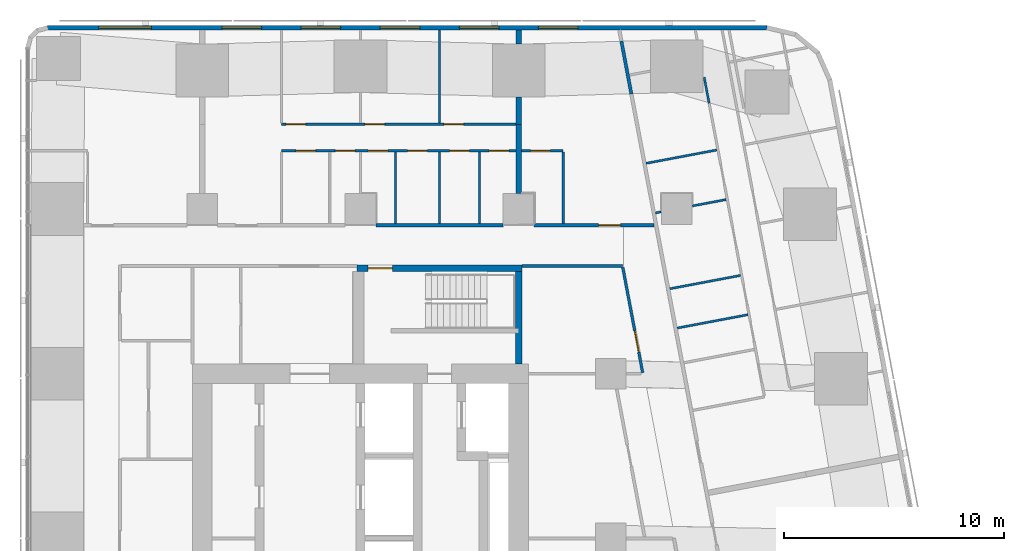
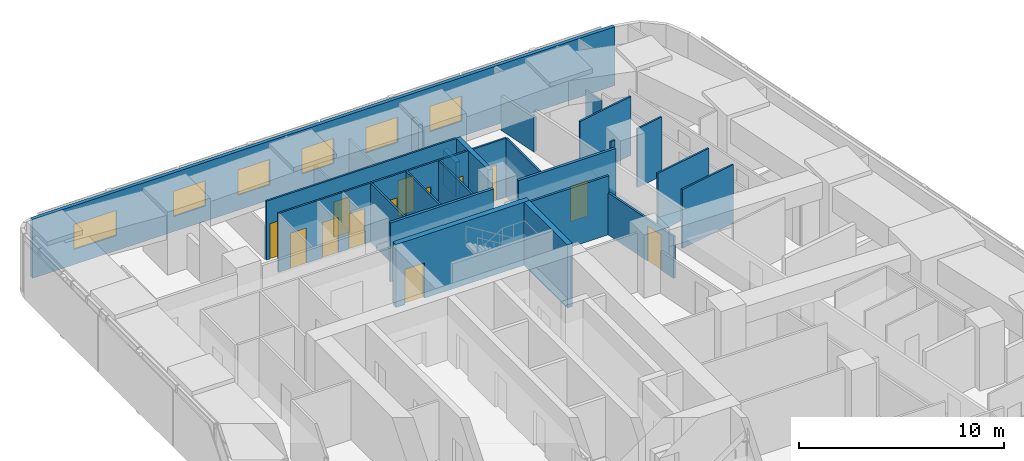
# One storey, part 16 of 19: 25 walls, 13 doors, 6 windows, 19 openings.
"""IFC4 building model written with IfcOpenShell, lengths in metres."""

from ifc_helpers import new_model, si_unit, direction, frame, frame_2d, origin, place, context, subcontext, project, spatial, rectangle, extrude, material, layer, layer_set, type_object, element, fill, save


model = new_model("IFC4")

# Units and contexts
model_context = context("Model", 3, precision=1e-05, world=origin(), true_north=direction((0.0, 1.0)))
body_context = subcontext(model_context, "Body", "Model", "MODEL_VIEW")
ifc_project = project(units=[si_unit("LENGTHUNIT", "METRE"), si_unit("AREAUNIT", "SQUARE_METRE"), si_unit("VOLUMEUNIT", "CUBIC_METRE"), si_unit("PLANEANGLEUNIT", "RADIAN"), si_unit("MASSUNIT", "GRAM", prefix="KILO")], contexts=[model_context])

# Site, building, storey
site_placement = place(None, origin())
site = spatial("IfcSite", under=ifc_project, at=site_placement, CompositionType="ELEMENT")
building_placement = place(site_placement, origin())
building = spatial("IfcBuilding", under=site, at=building_placement, Name="Sheger Commons Tower", CompositionType="ELEMENT")
storey_placement = place(building_placement, frame((0.0, 0.0, 201.199951171875)))
storey = spatial("IfcBuildingStorey", under=building, at=storey_placement, Name="L51", CompositionType="ELEMENT", Elevation=201.199951171875)

# Wall
ifc_material_1 = material(Name="Hollow concrete block masonry, skimmed both sides", Category="masonry")
ifc_layer_1 = layer(ifc_material_1, 0.14990234375)
ifc_layer_set_1 = layer_set([ifc_layer_1], Name="CORRIDOR WALL 150")
wall_type_1 = type_object("IfcWallType", Name="CORRIDOR WALL 150", PredefinedType="SOLIDWALL", material=ifc_layer_set_1)
wall_1_placement = place(storey_placement, frame((22.301025390625, 36.75, 0.0), z_axis=(0.0, 0.0, 1.0), x_axis=(1.0, 0.0, 0.0)))
element("IfcWall", 1, at=wall_1_placement, inside=storey, type_object=wall_type_1, Name="Corridor wall L51", PredefinedType="SOLIDWALL", context=body_context, shape_type="SweptSolid", body=[
    extrude(rectangle(XDim=5.798095703125, YDim=0.14990234375, at=frame_2d((2.89892578125, 0.0))), origin(), (0.0, 0.0, 1.0), 3.5),
])

# Wall, opening, door
wall_2_placement = place(storey_placement, frame((29.5009765625, 36.75, 0.0), z_axis=(0.0, 0.0, 1.0), x_axis=(1.0, 0.0, 0.0)))
wall_2 = element("IfcWall", 2, at=wall_2_placement, inside=storey, type_object=wall_type_1, Name="Corridor wall L51", PredefinedType="SOLIDWALL", context=body_context, shape_type="SweptSolid", body=[
    extrude(rectangle(XDim=5.470947265625, YDim=0.14990234375, at=frame_2d((2.7353515625, 0.0))), origin(), (0.0, 0.0, 1.0), 3.5),
])
opening_1_placement = place(wall_2_placement, frame((2.945068359375, 0.0, 0.0)))
opening_1 = element("IfcOpeningElement", 3, at=opening_1_placement, cuts=wall_2, Name="Opening D1", PredefinedType="OPENING", context=body_context, shape_type="SweptSolid", body=[
    extrude(rectangle(XDim=1.0, YDim=2.10009765625, at=frame_2d((0.5, 1.050048828125))), frame((0.0, 0.0849609375, 0.0), z_axis=(0.0, -1.0, 0.0), x_axis=(1.0, 0.0, 0.0)), (0.0, 0.0, 1.0), 0.169921875),
])
ifc_material_2 = material(Name="Steel door set, fire rated", Category="steel")
door_type_1 = type_object("IfcDoorType", Name="FLAT ENTRANCE DOOR 1000x2100", OperationType="NOTDEFINED", PredefinedType="DOOR", material=ifc_material_2)
door_1_placement = place(opening_1_placement, origin())
door_1 = element("IfcDoor", 4, at=door_1_placement, inside=storey, type_object=door_type_1, Name="Flat entrance door", OperationType="SINGLE_SWING_RIGHT", OverallHeight=2.10009765625, OverallWidth=1.0, PredefinedType="DOOR", context=body_context, shape_type="SweptSolid", body=[
    extrude(rectangle(XDim=1.0, YDim=2.10009765625, at=frame_2d((0.5, 1.050048828125))), frame((0.0, 0.02490234375, 0.0), z_axis=(0.0, -1.0, 0.0), x_axis=(1.0, 0.0, 0.0)), (0.0, 0.0, 1.0), 0.050048828125),
])
fill(opening_1, door_1)

# Walls
wall_3_placement = place(storey_placement, frame((33.47802734375, 45.14208984375, 0.0), z_axis=(0.0, 0.0, 1.0), x_axis=(0.185393362436, -0.982664388876, 0.0)))
element("IfcWall", 5, at=wall_3_placement, inside=storey, type_object=wall_type_1, Name="Corridor wall L51", PredefinedType="SOLIDWALL", context=body_context, shape_type="SweptSolid", body=[
    extrude(rectangle(XDim=2.45458984375, YDim=0.14990234375, at=frame_2d((1.227294921875, 0.0))), origin(), (0.0, 0.0, 1.0), 2.050048828125),
])
ifc_material_3 = material(Name="Dense concrete block masonry, plastered both sides (separating wall between flats)", Category="masonry")
ifc_layer_2 = layer(ifc_material_3, 0.25)
ifc_layer_set_2 = layer_set([ifc_layer_2], Name="DEMISING WALL 250")
wall_type_2 = type_object("IfcWallType", Name="DEMISING WALL 250", PredefinedType="SOLIDWALL", material=ifc_layer_set_2)
wall_4_placement = place(storey_placement, frame((28.800048828125, 41.35009765625, 0.0), z_axis=(0.0, 0.0, 1.0), x_axis=(0.0, 1.0, 0.0)))
element("IfcWall", 6, at=wall_4_placement, inside=storey, type_object=wall_type_2, Name="Demising wall L51", PredefinedType="SOLIDWALL", context=body_context, shape_type="SweptSolid", body=[
    extrude(rectangle(XDim=1.2490234375, YDim=0.25, at=frame_2d((0.62451171875, 0.0))), origin(), (0.0, 0.0, 1.0), 2.050048828125),
])
wall_5_placement = place(storey_placement, frame((28.800048828125, 45.0009765625, 0.0), z_axis=(0.0, 0.0, 1.0), x_axis=(0.0, 1.0, 0.0)))
element("IfcWall", 7, at=wall_5_placement, inside=storey, type_object=wall_type_2, Name="Demising wall L51", PredefinedType="SOLIDWALL", context=body_context, shape_type="SweptSolid", body=[
    extrude(rectangle(XDim=0.64892578125, YDim=0.25, at=frame_2d((0.324462890625, 0.0))), origin(), (0.0, 0.0, 1.0), 2.050048828125),
])
wall_6_placement = place(storey_placement, frame((28.800048828125, 38.200927734375, 0.0), z_axis=(0.0, 0.0, 1.0), x_axis=(0.0, 1.0, 0.0)))
element("IfcWall", 8, at=wall_6_placement, inside=storey, type_object=wall_type_2, Name="Demising wall L51", PredefinedType="SOLIDWALL", context=body_context, shape_type="SweptSolid", body=[
    extrude(rectangle(XDim=3.149169921875, YDim=0.25, at=frame_2d((1.57470703125, 0.0))), origin(), (0.0, 0.0, 1.0), 3.5),
])

# Wall, openings, windows
ifc_material_4 = material(Name="Rendered concrete block masonry, dark grey", Category="masonry")
ifc_layer_3 = layer(ifc_material_4, 0.199951171875)
ifc_layer_set_3 = layer_set([ifc_layer_3], Name="FACADE WALL 200")
wall_type_3 = type_object("IfcWallType", Name="FACADE WALL 200", PredefinedType="SOLIDWALL", material=ifc_layer_set_3)
wall_7_placement = place(storey_placement, frame((40.10595703125, 45.75, 0.0), z_axis=(0.0, 0.0, 1.0), x_axis=(-1.0, 0.0, 0.0)))
wall_7 = element("IfcWall", 9, at=wall_7_placement, inside=storey, type_object=wall_type_3, Name="Facade wall L51", PredefinedType="SOLIDWALL", context=body_context, shape_type="SweptSolid", body=[
    extrude(rectangle(XDim=32.742919921875, YDim=0.199951171875, at=frame_2d((16.37158203125, 0.0))), origin(), (0.0, 0.0, 1.0), 3.5),
])
opening_2_placement = place(wall_7_placement, frame((8.60595703125, 0.0, 0.89990234375)))
opening_2 = element("IfcOpeningElement", 10, at=opening_2_placement, cuts=wall_7, Name="Opening W2", PredefinedType="OPENING", context=body_context, shape_type="SweptSolid", body=[
    extrude(rectangle(XDim=1.800048828125, YDim=1.5, at=frame_2d((0.89990234375, 0.75))), frame((0.0, 0.10986328125, 0.0), z_axis=(0.0, -1.0, 0.0), x_axis=(1.0, 0.0, 0.0)), (0.0, 0.0, 1.0), 0.219970703125),
])
opening_3_placement = place(wall_7_placement, frame((12.2060546875, 0.0, 0.89990234375)))
opening_3 = element("IfcOpeningElement", 11, at=opening_3_placement, cuts=wall_7, Name="Opening W2", PredefinedType="OPENING", context=body_context, shape_type="SweptSolid", body=[
    extrude(rectangle(XDim=1.800048828125, YDim=1.5, at=frame_2d((0.89990234375, 0.75))), frame((0.0, 0.10986328125, 0.0), z_axis=(0.0, -1.0, 0.0), x_axis=(1.0, 0.0, 0.0)), (0.0, 0.0, 1.0), 0.219970703125),
])
opening_4_placement = place(wall_7_placement, frame((15.805908203125, 0.0, 0.89990234375)))
opening_4 = element("IfcOpeningElement", 12, at=opening_4_placement, cuts=wall_7, Name="Opening W2", PredefinedType="OPENING", context=body_context, shape_type="SweptSolid", body=[
    extrude(rectangle(XDim=1.800048828125, YDim=1.5, at=frame_2d((0.89990234375, 0.75))), frame((0.0, 0.10986328125, 0.0), z_axis=(0.0, -1.0, 0.0), x_axis=(1.0, 0.0, 0.0)), (0.0, 0.0, 1.0), 0.219970703125),
])
opening_5_placement = place(wall_7_placement, frame((19.406005859375, 0.0, 0.89990234375)))
opening_5 = element("IfcOpeningElement", 13, at=opening_5_placement, cuts=wall_7, Name="Opening W2", PredefinedType="OPENING", context=body_context, shape_type="SweptSolid", body=[
    extrude(rectangle(XDim=1.800048828125, YDim=1.5, at=frame_2d((0.89990234375, 0.75))), frame((0.0, 0.10986328125, 0.0), z_axis=(0.0, -1.0, 0.0), x_axis=(1.0, 0.0, 0.0)), (0.0, 0.0, 1.0), 0.219970703125),
])
opening_6_placement = place(wall_7_placement, frame((23.006103515625, 0.0, 0.89990234375)))
opening_6 = element("IfcOpeningElement", 14, at=opening_6_placement, cuts=wall_7, Name="Opening W2", PredefinedType="OPENING", context=body_context, shape_type="SweptSolid", body=[
    extrude(rectangle(XDim=1.800048828125, YDim=1.5, at=frame_2d((0.89990234375, 0.75))), frame((0.0, 0.10986328125, 0.0), z_axis=(0.0, -1.0, 0.0), x_axis=(1.0, 0.0, 0.0)), (0.0, 0.0, 1.0), 0.219970703125),
])
opening_7_placement = place(wall_7_placement, frame((28.02490234375, 0.0, 0.89990234375)))
opening_7 = element("IfcOpeningElement", 15, at=opening_7_placement, cuts=wall_7, Name="Opening W1", PredefinedType="OPENING", context=body_context, shape_type="SweptSolid", body=[
    extrude(rectangle(XDim=2.39990234375, YDim=1.5, at=frame_2d((1.199951171875, 0.75))), frame((0.0, 0.10986328125, 0.0), z_axis=(0.0, -1.0, 0.0), x_axis=(1.0, 0.0, 0.0)), (0.0, 0.0, 1.0), 0.219970703125),
])
ifc_material_5 = material(Name="Black aluminium frame, dark tinted double glazing", Category="aluminium")
window_type_1 = type_object("IfcWindowType", Name="WINDOW W1 2400x1500", PartitioningType="SINGLE_PANEL", PredefinedType="WINDOW", material=ifc_material_5)
window_1_placement = place(opening_7_placement, origin())
window_1 = element("IfcWindow", 16, at=window_1_placement, inside=storey, type_object=window_type_1, Name="Window W1 2400X1500", OverallHeight=1.5, OverallWidth=2.39990234375, PartitioningType="SINGLE_PANEL", PredefinedType="WINDOW", context=body_context, shape_type="SweptSolid", body=[
    extrude(rectangle(XDim=2.39990234375, YDim=1.5, at=frame_2d((1.199951171875, 0.75))), frame((0.0, 0.030029296875, 0.0), z_axis=(0.0, -1.0, 0.0), x_axis=(1.0, 0.0, 0.0)), (0.0, 0.0, 1.0), 0.06005859375),
])
fill(opening_7, window_1)
ifc_material_6 = material(Name="Black aluminium frame, dark tinted double glazing", Category="aluminium")
window_type_2 = type_object("IfcWindowType", Name="WINDOW W2 1800x1500", PartitioningType="SINGLE_PANEL", PredefinedType="WINDOW", material=ifc_material_6)
window_2_placement = place(opening_2_placement, origin())
window_2 = element("IfcWindow", 17, at=window_2_placement, inside=storey, type_object=window_type_2, Name="Window W2 1800X1500", OverallHeight=1.5, OverallWidth=1.800048828125, PartitioningType="SINGLE_PANEL", PredefinedType="WINDOW", context=body_context, shape_type="SweptSolid", body=[
    extrude(rectangle(XDim=1.800048828125, YDim=1.5, at=frame_2d((0.89990234375, 0.75))), frame((0.0, 0.030029296875, 0.0), z_axis=(0.0, -1.0, 0.0), x_axis=(1.0, 0.0, 0.0)), (0.0, 0.0, 1.0), 0.06005859375),
])
fill(opening_2, window_2)
window_3_placement = place(opening_3_placement, origin())
window_3 = element("IfcWindow", 18, at=window_3_placement, inside=storey, type_object=window_type_2, Name="Window W2 1800X1500", OverallHeight=1.5, OverallWidth=1.800048828125, PartitioningType="SINGLE_PANEL", PredefinedType="WINDOW", context=body_context, shape_type="SweptSolid", body=[
    extrude(rectangle(XDim=1.800048828125, YDim=1.5, at=frame_2d((0.89990234375, 0.75))), frame((0.0, 0.030029296875, 0.0), z_axis=(0.0, -1.0, 0.0), x_axis=(1.0, 0.0, 0.0)), (0.0, 0.0, 1.0), 0.06005859375),
])
fill(opening_3, window_3)
window_4_placement = place(opening_4_placement, origin())
window_4 = element("IfcWindow", 19, at=window_4_placement, inside=storey, type_object=window_type_2, Name="Window W2 1800X1500", OverallHeight=1.5, OverallWidth=1.800048828125, PartitioningType="SINGLE_PANEL", PredefinedType="WINDOW", context=body_context, shape_type="SweptSolid", body=[
    extrude(rectangle(XDim=1.800048828125, YDim=1.5, at=frame_2d((0.89990234375, 0.75))), frame((0.0, 0.030029296875, 0.0), z_axis=(0.0, -1.0, 0.0), x_axis=(1.0, 0.0, 0.0)), (0.0, 0.0, 1.0), 0.06005859375),
])
fill(opening_4, window_4)
window_5_placement = place(opening_5_placement, origin())
window_5 = element("IfcWindow", 20, at=window_5_placement, inside=storey, type_object=window_type_2, Name="Window W2 1800X1500", OverallHeight=1.5, OverallWidth=1.800048828125, PartitioningType="SINGLE_PANEL", PredefinedType="WINDOW", context=body_context, shape_type="SweptSolid", body=[
    extrude(rectangle(XDim=1.800048828125, YDim=1.5, at=frame_2d((0.89990234375, 0.75))), frame((0.0, 0.030029296875, 0.0), z_axis=(0.0, -1.0, 0.0), x_axis=(1.0, 0.0, 0.0)), (0.0, 0.0, 1.0), 0.06005859375),
])
fill(opening_5, window_5)
window_6_placement = place(opening_6_placement, origin())
window_6 = element("IfcWindow", 21, at=window_6_placement, inside=storey, type_object=window_type_2, Name="Window W2 1800X1500", OverallHeight=1.5, OverallWidth=1.800048828125, PartitioningType="SINGLE_PANEL", PredefinedType="WINDOW", context=body_context, shape_type="SweptSolid", body=[
    extrude(rectangle(XDim=1.800048828125, YDim=1.5, at=frame_2d((0.89990234375, 0.75))), frame((0.0, 0.030029296875, 0.0), z_axis=(0.0, -1.0, 0.0), x_axis=(1.0, 0.0, 0.0)), (0.0, 0.0, 1.0), 0.06005859375),
])
fill(opening_6, window_6)

# Walls
ifc_material_7 = material(Name="Gypsum board on steel studs", Category="steel")
ifc_layer_4 = layer(ifc_material_7, 0.10009765625)
ifc_layer_set_4 = layer_set([ifc_layer_4], Name="PARTITION 100")
wall_type_4 = type_object("IfcWallType", Name="PARTITION 100", PredefinedType="PARTITIONING", material=ifc_layer_set_4)
wall_8_placement = place(storey_placement, frame((37.2490234375, 43.492919921875, 0.0), z_axis=(0.0, 0.0, 1.0), x_axis=(0.185817643817, -0.982584247404, 0.0)))
element("IfcWall", 22, at=wall_8_placement, inside=storey, type_object=wall_type_4, Name="Partition L51", PredefinedType="PARTITIONING", context=body_context, shape_type="SweptSolid", body=[
    extrude(rectangle(XDim=1.204833984375, YDim=0.10009765625, at=frame_2d((0.6025390625, 0.0))), origin(), (0.0, 0.0, 1.0), 2.050048828125),
])
wall_9_placement = place(storey_placement, frame((37.823974609375, 40.181884765625, 0.0), z_axis=(0.0, 0.0, 1.0), x_axis=(-0.982674977865, -0.185337227447, 0.0)))
element("IfcWall", 23, at=wall_9_placement, inside=storey, type_object=wall_type_4, Name="Partition L51", PredefinedType="PARTITIONING", context=body_context, shape_type="SweptSolid", body=[
    extrude(rectangle(XDim=3.274658203125, YDim=0.10009765625, at=frame_2d((1.63720703125, 0.0))), origin(), (0.0, 0.0, 1.0), 3.5),
])
wall_10_placement = place(storey_placement, frame((38.25, 37.925048828125, 0.0), z_axis=(0.0, 0.0, 1.0), x_axis=(-0.982610209589, -0.185680305934, 0.0)))
element("IfcWall", 24, at=wall_10_placement, inside=storey, type_object=wall_type_4, Name="Partition L51", PredefinedType="PARTITIONING", context=body_context, shape_type="SweptSolid", body=[
    extrude(rectangle(XDim=1.5673828125, YDim=0.10009765625, at=frame_2d((0.78369140625, 0.0))), origin(), (0.0, 0.0, 1.0), 3.5),
])
wall_11_placement = place(storey_placement, frame((35.2900390625, 37.365966796875, 0.0), z_axis=(0.0, 0.0, 1.0), x_axis=(-0.982395465615, -0.18681313963, 0.0)))
element("IfcWall", 25, at=wall_11_placement, inside=storey, type_object=wall_type_4, Name="Partition L51", PredefinedType="PARTITIONING", context=body_context, shape_type="SweptSolid", body=[
    extrude(rectangle(XDim=0.2626953125, YDim=0.10009765625, at=frame_2d((0.13134765625, 0.0))), origin(), (0.0, 0.0, 1.0), 3.5),
])
wall_12_placement = place(storey_placement, frame((39.239990234375, 32.68310546875, 0.0), z_axis=(0.0, 0.0, 1.0), x_axis=(-0.982607026909, -0.185697147715, 0.0)))
element("IfcWall", 26, at=wall_12_placement, inside=storey, type_object=wall_type_4, Name="Partition L51", PredefinedType="PARTITIONING", context=body_context, shape_type="SweptSolid", body=[
    extrude(rectangle(XDim=3.27490234375, YDim=0.10009765625, at=frame_2d((1.637451171875, 0.0))), origin(), (0.0, 0.0, 1.0), 3.5),
])
wall_13_placement = place(storey_placement, frame((38.902099609375, 34.470947265625, 0.0), z_axis=(0.0, 0.0, 1.0), x_axis=(-0.982674977865, -0.185337227447, 0.0)))
element("IfcWall", 27, at=wall_13_placement, inside=storey, type_object=wall_type_4, Name="Partition L51", PredefinedType="PARTITIONING", context=body_context, shape_type="SweptSolid", body=[
    extrude(rectangle(XDim=3.274658203125, YDim=0.10009765625, at=frame_2d((1.63720703125, 0.0))), origin(), (0.0, 0.0, 1.0), 3.5),
])

# Wall, openings, doors
wall_14_placement = place(storey_placement, frame((18.0, 41.35009765625, 0.0), z_axis=(0.0, 0.0, 1.0), x_axis=(1.0, 0.0, 0.0)))
wall_14 = element("IfcWall", 28, at=wall_14_placement, inside=storey, type_object=wall_type_4, Name="Partition L51", PredefinedType="PARTITIONING", context=body_context, shape_type="SweptSolid", body=[
    extrude(rectangle(XDim=10.675048828125, YDim=0.10009765625, at=frame_2d((5.33740234375, 0.0))), origin(), (0.0, 0.0, 1.0), 3.5),
])
opening_8_placement = place(wall_14_placement, frame((0.199951171875, 0.0, 0.0)))
opening_8 = element("IfcOpeningElement", 29, at=opening_8_placement, cuts=wall_14, Name="Opening D2", PredefinedType="OPENING", context=body_context, shape_type="SweptSolid", body=[
    extrude(rectangle(XDim=0.89990234375, YDim=2.10009765625, at=frame_2d((0.449951171875, 1.050048828125))), frame((0.0, 0.06005859375, 0.0), z_axis=(0.0, -1.0, 0.0), x_axis=(1.0, 0.0, 0.0)), (0.0, 0.0, 1.0), 0.1201171875),
])
opening_9_placement = place(wall_14_placement, frame((3.800048828125, 0.0, 0.0)))
opening_9 = element("IfcOpeningElement", 30, at=opening_9_placement, cuts=wall_14, Name="Opening D2", PredefinedType="OPENING", context=body_context, shape_type="SweptSolid", body=[
    extrude(rectangle(XDim=0.89990234375, YDim=2.10009765625, at=frame_2d((0.449951171875, 1.050048828125))), frame((0.0, 0.06005859375, 0.0), z_axis=(0.0, -1.0, 0.0), x_axis=(1.0, 0.0, 0.0)), (0.0, 0.0, 1.0), 0.1201171875),
])
opening_10_placement = place(wall_14_placement, frame((7.39990234375, 0.0, 0.0)))
opening_10 = element("IfcOpeningElement", 31, at=opening_10_placement, cuts=wall_14, Name="Opening D2", PredefinedType="OPENING", context=body_context, shape_type="SweptSolid", body=[
    extrude(rectangle(XDim=0.89990234375, YDim=2.10009765625, at=frame_2d((0.449951171875, 1.050048828125))), frame((0.0, 0.06005859375, 0.0), z_axis=(0.0, -1.0, 0.0), x_axis=(1.0, 0.0, 0.0)), (0.0, 0.0, 1.0), 0.1201171875),
])
ifc_material_8 = material(Name="Timber door set", Category="wood")
door_type_2 = type_object("IfcDoorType", Name="INTERNAL DOOR 900x2100", OperationType="NOTDEFINED", PredefinedType="DOOR", material=ifc_material_8)
door_2_placement = place(opening_8_placement, origin())
door_2 = element("IfcDoor", 32, at=door_2_placement, inside=storey, type_object=door_type_2, Name="Main bedroom door", OperationType="SINGLE_SWING_LEFT", OverallHeight=2.10009765625, OverallWidth=0.89990234375, PredefinedType="DOOR", context=body_context, shape_type="SweptSolid", body=[
    extrude(rectangle(XDim=0.89990234375, YDim=2.10009765625, at=frame_2d((0.449951171875, 1.050048828125))), frame((0.0, 0.02490234375, 0.0), z_axis=(0.0, -1.0, 0.0), x_axis=(1.0, 0.0, 0.0)), (0.0, 0.0, 1.0), 0.050048828125),
])
fill(opening_8, door_2)
door_3_placement = place(opening_9_placement, origin())
door_3 = element("IfcDoor", 33, at=door_3_placement, inside=storey, type_object=door_type_2, Name="Bedroom 2 door", OperationType="SINGLE_SWING_LEFT", OverallHeight=2.10009765625, OverallWidth=0.89990234375, PredefinedType="DOOR", context=body_context, shape_type="SweptSolid", body=[
    extrude(rectangle(XDim=0.89990234375, YDim=2.10009765625, at=frame_2d((0.449951171875, 1.050048828125))), frame((0.0, 0.02490234375, 0.0), z_axis=(0.0, -1.0, 0.0), x_axis=(1.0, 0.0, 0.0)), (0.0, 0.0, 1.0), 0.050048828125),
])
fill(opening_9, door_3)
door_4_placement = place(opening_10_placement, origin())
door_4 = element("IfcDoor", 34, at=door_4_placement, inside=storey, type_object=door_type_2, Name="Bedroom 3 door", OperationType="SINGLE_SWING_LEFT", OverallHeight=2.10009765625, OverallWidth=0.89990234375, PredefinedType="DOOR", context=body_context, shape_type="SweptSolid", body=[
    extrude(rectangle(XDim=0.89990234375, YDim=2.10009765625, at=frame_2d((0.449951171875, 1.050048828125))), frame((0.0, 0.02490234375, 0.0), z_axis=(0.0, -1.0, 0.0), x_axis=(1.0, 0.0, 0.0)), (0.0, 0.0, 1.0), 0.050048828125),
])
fill(opening_10, door_4)

wall_15_placement = place(storey_placement, frame((18.0, 40.14990234375, 0.0), z_axis=(0.0, 0.0, 1.0), x_axis=(1.0, 0.0, 0.0)))
wall_15 = element("IfcWall", 35, at=wall_15_placement, inside=storey, type_object=wall_type_4, Name="Partition L51", PredefinedType="PARTITIONING", context=body_context, shape_type="SweptSolid", body=[
    extrude(rectangle(XDim=10.675048828125, YDim=0.10009765625, at=frame_2d((5.33740234375, 0.0))), origin(), (0.0, 0.0, 1.0), 3.5),
])
opening_11_placement = place(wall_15_placement, frame((0.655029296875, 0.0, 0.0)))
opening_11 = element("IfcOpeningElement", 36, at=opening_11_placement, cuts=wall_15, Name="Opening D2", PredefinedType="OPENING", context=body_context, shape_type="SweptSolid", body=[
    extrude(rectangle(XDim=0.89990234375, YDim=2.10009765625, at=frame_2d((0.449951171875, 1.050048828125))), frame((0.0, 0.06005859375, 0.0), z_axis=(0.0, -1.0, 0.0), x_axis=(1.0, 0.0, 0.0)), (0.0, 0.0, 1.0), 0.1201171875),
])
opening_12_placement = place(wall_15_placement, frame((3.949951171875, 0.0, 0.0)))
opening_12 = element("IfcOpeningElement", 37, at=opening_12_placement, cuts=wall_15, Name="Opening D2", PredefinedType="OPENING", context=body_context, shape_type="SweptSolid", body=[
    extrude(rectangle(XDim=0.89990234375, YDim=2.10009765625, at=frame_2d((0.449951171875, 1.050048828125))), frame((0.0, 0.06005859375, 0.0), z_axis=(0.0, -1.0, 0.0), x_axis=(1.0, 0.0, 0.0)), (0.0, 0.0, 1.0), 0.1201171875),
])
opening_13_placement = place(wall_15_placement, frame((7.659912109375, 0.0, 0.0)))
opening_13 = element("IfcOpeningElement", 38, at=opening_13_placement, cuts=wall_15, Name="Opening D2", PredefinedType="OPENING", context=body_context, shape_type="SweptSolid", body=[
    extrude(rectangle(XDim=0.89990234375, YDim=2.10009765625, at=frame_2d((0.449951171875, 1.050048828125))), frame((0.0, 0.06005859375, 0.0), z_axis=(0.0, -1.0, 0.0), x_axis=(1.0, 0.0, 0.0)), (0.0, 0.0, 1.0), 0.1201171875),
])
opening_14_placement = place(wall_15_placement, frame((2.455078125, 0.0, 0.0)))
opening_14 = element("IfcOpeningElement", 39, at=opening_14_placement, cuts=wall_15, Name="Opening D2", PredefinedType="OPENING", context=body_context, shape_type="SweptSolid", body=[
    extrude(rectangle(XDim=0.89990234375, YDim=2.10009765625, at=frame_2d((0.449951171875, 1.050048828125))), frame((0.0, 0.06005859375, 0.0), z_axis=(0.0, -1.0, 0.0), x_axis=(1.0, 0.0, 0.0)), (0.0, 0.0, 1.0), 0.1201171875),
])
opening_15_placement = place(wall_15_placement, frame((5.75, 0.0, 0.0)))
opening_15 = element("IfcOpeningElement", 40, at=opening_15_placement, cuts=wall_15, Name="Opening D2", PredefinedType="OPENING", context=body_context, shape_type="SweptSolid", body=[
    extrude(rectangle(XDim=0.89990234375, YDim=2.10009765625, at=frame_2d((0.449951171875, 1.050048828125))), frame((0.0, 0.06005859375, 0.0), z_axis=(0.0, -1.0, 0.0), x_axis=(1.0, 0.0, 0.0)), (0.0, 0.0, 1.0), 0.1201171875),
])
opening_16_placement = place(wall_15_placement, frame((9.4599609375, 0.0, 0.0)))
opening_16 = element("IfcOpeningElement", 41, at=opening_16_placement, cuts=wall_15, Name="Opening D2", PredefinedType="OPENING", context=body_context, shape_type="SweptSolid", body=[
    extrude(rectangle(XDim=0.89990234375, YDim=2.10009765625, at=frame_2d((0.449951171875, 1.050048828125))), frame((0.0, 0.06005859375, 0.0), z_axis=(0.0, -1.0, 0.0), x_axis=(1.0, 0.0, 0.0)), (0.0, 0.0, 1.0), 0.1201171875),
])
door_5_placement = place(opening_11_placement, origin())
door_5 = element("IfcDoor", 42, at=door_5_placement, inside=storey, type_object=door_type_2, Name="Bathroom door", OperationType="SINGLE_SWING_RIGHT", OverallHeight=2.10009765625, OverallWidth=0.89990234375, PredefinedType="DOOR", context=body_context, shape_type="SweptSolid", body=[
    extrude(rectangle(XDim=0.89990234375, YDim=2.10009765625, at=frame_2d((0.449951171875, 1.050048828125))), frame((0.0, 0.02490234375, 0.0), z_axis=(0.0, -1.0, 0.0), x_axis=(1.0, 0.0, 0.0)), (0.0, 0.0, 1.0), 0.050048828125),
])
fill(opening_11, door_5)
door_6_placement = place(opening_12_placement, origin())
door_6 = element("IfcDoor", 43, at=door_6_placement, inside=storey, type_object=door_type_2, Name="Shower room door", OperationType="SINGLE_SWING_LEFT", OverallHeight=2.10009765625, OverallWidth=0.89990234375, PredefinedType="DOOR", context=body_context, shape_type="SweptSolid", body=[
    extrude(rectangle(XDim=0.89990234375, YDim=2.10009765625, at=frame_2d((0.449951171875, 1.050048828125))), frame((0.0, 0.02490234375, 0.0), z_axis=(0.0, -1.0, 0.0), x_axis=(1.0, 0.0, 0.0)), (0.0, 0.0, 1.0), 0.050048828125),
])
fill(opening_12, door_6)
door_7_placement = place(opening_13_placement, origin())
door_7 = element("IfcDoor", 44, at=door_7_placement, inside=storey, type_object=door_type_2, Name="Laundry room door", OperationType="SINGLE_SWING_LEFT", OverallHeight=2.10009765625, OverallWidth=0.89990234375, PredefinedType="DOOR", context=body_context, shape_type="SweptSolid", body=[
    extrude(rectangle(XDim=0.89990234375, YDim=2.10009765625, at=frame_2d((0.449951171875, 1.050048828125))), frame((0.0, 0.02490234375, 0.0), z_axis=(0.0, -1.0, 0.0), x_axis=(1.0, 0.0, 0.0)), (0.0, 0.0, 1.0), 0.050048828125),
])
fill(opening_13, door_7)
door_8_placement = place(opening_14_placement, origin())
door_8 = element("IfcDoor", 45, at=door_8_placement, inside=storey, type_object=door_type_2, Name="Store door", OperationType="SINGLE_SWING_RIGHT", OverallHeight=2.10009765625, OverallWidth=0.89990234375, PredefinedType="DOOR", context=body_context, shape_type="SweptSolid", body=[
    extrude(rectangle(XDim=0.89990234375, YDim=2.10009765625, at=frame_2d((0.449951171875, 1.050048828125))), frame((0.0, 0.02490234375, 0.0), z_axis=(0.0, -1.0, 0.0), x_axis=(1.0, 0.0, 0.0)), (0.0, 0.0, 1.0), 0.050048828125),
])
fill(opening_14, door_8)
door_9_placement = place(opening_15_placement, origin())
door_9 = element("IfcDoor", 46, at=door_9_placement, inside=storey, type_object=door_type_2, Name="Store door", OperationType="SINGLE_SWING_RIGHT", OverallHeight=2.10009765625, OverallWidth=0.89990234375, PredefinedType="DOOR", context=body_context, shape_type="SweptSolid", body=[
    extrude(rectangle(XDim=0.89990234375, YDim=2.10009765625, at=frame_2d((0.449951171875, 1.050048828125))), frame((0.0, 0.02490234375, 0.0), z_axis=(0.0, -1.0, 0.0), x_axis=(1.0, 0.0, 0.0)), (0.0, 0.0, 1.0), 0.050048828125),
])
fill(opening_15, door_9)
door_10_placement = place(opening_16_placement, origin())
door_10 = element("IfcDoor", 47, at=door_10_placement, inside=storey, type_object=door_type_2, Name="Store door", OperationType="SINGLE_SWING_LEFT", OverallHeight=2.10009765625, OverallWidth=0.89990234375, PredefinedType="DOOR", context=body_context, shape_type="SweptSolid", body=[
    extrude(rectangle(XDim=0.89990234375, YDim=2.10009765625, at=frame_2d((0.449951171875, 1.050048828125))), frame((0.0, 0.02490234375, 0.0), z_axis=(0.0, -1.0, 0.0), x_axis=(1.0, 0.0, 0.0)), (0.0, 0.0, 1.0), 0.050048828125),
])
fill(opening_16, door_10)

# Walls
wall_16_placement = place(storey_placement, frame((25.199951171875, 41.39990234375, 0.0), z_axis=(0.0, 0.0, 1.0), x_axis=(0.0, 1.0, 0.0)))
element("IfcWall", 48, at=wall_16_placement, inside=storey, type_object=wall_type_4, Name="Partition L51", PredefinedType="PARTITIONING", context=body_context, shape_type="SweptSolid", body=[
    extrude(rectangle(XDim=4.25, YDim=0.10009765625, at=frame_2d((2.125, 0.0))), origin(), (0.0, 0.0, 1.0), 2.050048828125),
])
for number, where, z_axis, x_axis, name in (
    (49, (25.199951171875, 36.824951171875, 0.0), (0.0, 0.0, 1.0), (0.0, 1.0, 0.0), "Partition L51"),
    (50, (23.199951171875, 36.824951171875, 0.0), (0.0, 0.0, 1.0), (0.0, 1.0, 0.0), "Partition L51"),
    (51, (27.02001953125, 36.824951171875, 0.0), (0.0, 0.0, 1.0), (0.0, 1.0, 0.0), "Partition L51"),
):
    element("IfcWall", number, at=place(storey_placement, frame(where, z_axis=z_axis, x_axis=x_axis)), inside=storey, type_object=wall_type_4, Name=name, PredefinedType="PARTITIONING", context=body_context, shape_type="SweptSolid", body=[
        extrude(rectangle(XDim=3.275146484375, YDim=0.10009765625, at=frame_2d((1.6376953125, 0.0))), origin(), (0.0, 0.0, 1.0), 3.5),
    ])

# Wall, opening, door
wall_17_placement = place(storey_placement, frame((28.925048828125, 40.14990234375, 0.0), z_axis=(0.0, 0.0, 1.0), x_axis=(1.0, 0.0, 0.0)))
wall_17 = element("IfcWall", 52, at=wall_17_placement, inside=storey, type_object=wall_type_4, Name="Partition L51", PredefinedType="PARTITIONING", context=body_context, shape_type="SweptSolid", body=[
    extrude(rectangle(XDim=1.904052734375, YDim=0.10009765625, at=frame_2d((0.9521484375, 0.0))), origin(), (0.0, 0.0, 1.0), 3.5),
])
opening_17_placement = place(wall_17_placement, frame((0.425048828125, 0.0, 0.0)))
opening_17 = element("IfcOpeningElement", 53, at=opening_17_placement, cuts=wall_17, Name="Opening D2", PredefinedType="OPENING", context=body_context, shape_type="SweptSolid", body=[
    extrude(rectangle(XDim=0.89990234375, YDim=2.10009765625, at=frame_2d((0.449951171875, 1.050048828125))), frame((0.0, 0.06005859375, 0.0), z_axis=(0.0, -1.0, 0.0), x_axis=(1.0, 0.0, 0.0)), (0.0, 0.0, 1.0), 0.1201171875),
])
door_11_placement = place(opening_17_placement, origin())
door_11 = element("IfcDoor", 54, at=door_11_placement, inside=storey, type_object=door_type_2, Name="Shower room door", OperationType="SINGLE_SWING_RIGHT", OverallHeight=2.10009765625, OverallWidth=0.89990234375, PredefinedType="DOOR", context=body_context, shape_type="SweptSolid", body=[
    extrude(rectangle(XDim=0.89990234375, YDim=2.10009765625, at=frame_2d((0.449951171875, 1.050048828125))), frame((0.0, 0.02490234375, 0.0), z_axis=(0.0, -1.0, 0.0), x_axis=(1.0, 0.0, 0.0)), (0.0, 0.0, 1.0), 0.050048828125),
])
fill(opening_17, door_11)

# Walls
wall_18_placement = place(storey_placement, frame((30.8291015625, 36.824951171875, 0.0), z_axis=(0.0, 0.0, 1.0), x_axis=(0.0, 1.0, 0.0)))
element("IfcWall", 55, at=wall_18_placement, inside=storey, type_object=wall_type_4, Name="Partition L51", PredefinedType="PARTITIONING", context=body_context, shape_type="SweptSolid", body=[
    extrude(rectangle(XDim=3.275146484375, YDim=0.10009765625, at=frame_2d((1.6376953125, 0.0))), origin(), (0.0, 0.0, 1.0), 3.5),
])
ifc_material_9 = material(Name="Gypsum board on steel studs, two layers each side, fire rated", Category="steel")
ifc_layer_5 = layer(ifc_material_9, 0.125)
ifc_layer_set_5 = layer_set([ifc_layer_5], Name="SERVICE WALL 125")
wall_type_5 = type_object("IfcWallType", Name="SERVICE WALL 125", PredefinedType="PARTITIONING", material=ifc_layer_set_5)
wall_19_placement = place(storey_placement, frame((28.949951171875, 34.89990234375, 0.0), z_axis=(0.0, 0.0, 1.0), x_axis=(1.0, 0.0, 0.0)))
element("IfcWall", 56, at=wall_19_placement, inside=storey, type_object=wall_type_5, Name="Service room wall L51", PredefinedType="PARTITIONING", context=body_context, shape_type="SweptSolid", body=[
    extrude(rectangle(XDim=4.588134765625, YDim=0.125, at=frame_2d((2.2939453125, 0.0))), origin(), (0.0, 0.0, 1.0), 3.5),
])

# Wall, opening, door
wall_20_placement = place(storey_placement, frame((34.447998046875, 30.0400390625, 0.0), z_axis=(0.0, 0.0, 1.0), x_axis=(-0.185749459238, 0.982597139418, 0.0)))
wall_20 = element("IfcWall", 57, at=wall_20_placement, inside=storey, type_object=wall_type_5, Name="Service room wall L51", PredefinedType="PARTITIONING", context=body_context, shape_type="SweptSolid", body=[
    extrude(rectangle(XDim=4.8828125, YDim=0.125, at=frame_2d((2.44140625, 0.0))), origin(), (0.0, 0.0, 1.0), 2.5),
])
opening_18_placement = place(wall_20_placement, frame((0.949951171875, 0.0, 0.0)))
opening_18 = element("IfcOpeningElement", 58, at=opening_18_placement, cuts=wall_20, Name="Opening D4", PredefinedType="OPENING", context=body_context, shape_type="SweptSolid", body=[
    extrude(rectangle(XDim=1.0, YDim=2.10009765625, at=frame_2d((0.5, 1.050048828125))), frame((0.0, 0.072509765625, 0.0), z_axis=(0.0, -1.0, 0.0), x_axis=(1.0, 0.0, 0.0)), (0.0, 0.0, 1.0), 0.14501953125),
])
ifc_material_10 = material(Name="Steel door set, fire rated", Category="steel")
door_type_3 = type_object("IfcDoorType", Name="SERVICE DOOR 1000x2100", OperationType="NOTDEFINED", PredefinedType="DOOR", material=ifc_material_10)
door_12_placement = place(opening_18_placement, origin())
door_12 = element("IfcDoor", 59, at=door_12_placement, inside=storey, type_object=door_type_3, Name="Linen store door", OperationType="SINGLE_SWING_LEFT", OverallHeight=2.10009765625, OverallWidth=1.0, PredefinedType="DOOR", context=body_context, shape_type="SweptSolid", body=[
    extrude(rectangle(XDim=1.0, YDim=2.10009765625, at=frame_2d((0.5, 1.050048828125))), frame((0.0, 0.02490234375, 0.0), z_axis=(0.0, -1.0, 0.0), x_axis=(1.0, 0.0, 0.0)), (0.0, 0.0, 1.0), 0.050048828125),
])
fill(opening_18, door_12)

ifc_material_11 = material(Name="Concrete C50/60", Category="concrete")
ifc_layer_6 = layer(ifc_material_11, 0.300048828125)
ifc_layer_set_6 = layer_set([ifc_layer_6], Name="STAIR CORE WALL 300")
wall_type_6 = type_object("IfcWallType", Name="STAIR CORE WALL 300", PredefinedType="SHEAR", material=ifc_layer_set_6)
wall_21_placement = place(storey_placement, frame((21.449951171875, 34.800048828125, 0.0), z_axis=(0.0, 0.0, 1.0), x_axis=(1.0, 0.0, 0.0)))
wall_21 = element("IfcWall", 60, at=wall_21_placement, inside=storey, type_object=wall_type_6, Name="STW-L51-S2N", PredefinedType="SHEAR", context=body_context, shape_type="SweptSolid", body=[
    extrude(rectangle(XDim=7.5, YDim=0.300048828125, at=frame_2d((3.75, 0.0))), origin(), (0.0, 0.0, 1.0), 3.75),
])
opening_19_placement = place(wall_21_placement, frame((0.5, 0.0, 0.0)))
opening_19 = element("IfcOpeningElement", 61, at=opening_19_placement, cuts=wall_21, Name="Opening D5", PredefinedType="OPENING", context=body_context, shape_type="SweptSolid", body=[
    extrude(rectangle(XDim=1.10009765625, YDim=2.10009765625, at=frame_2d((0.550048828125, 1.050048828125))), frame((0.0, 0.159912109375, 0.0), z_axis=(0.0, -1.0, 0.0), x_axis=(1.0, 0.0, 0.0)), (0.0, 0.0, 1.0), 0.320068359375),
])
ifc_material_12 = material(Name="Steel door set, fire rated", Category="steel")
door_type_4 = type_object("IfcDoorType", Name="STAIR DOOR 1100x2100", OperationType="NOTDEFINED", PredefinedType="DOOR", material=ifc_material_12)
door_13_placement = place(opening_19_placement, origin())
door_13 = element("IfcDoor", 62, at=door_13_placement, inside=storey, type_object=door_type_4, Name="Stair S2 door", OperationType="SINGLE_SWING_RIGHT", OverallHeight=2.10009765625, OverallWidth=1.10009765625, PredefinedType="DOOR", context=body_context, shape_type="SweptSolid", body=[
    extrude(rectangle(XDim=1.10009765625, YDim=2.10009765625, at=frame_2d((0.550048828125, 1.050048828125))), frame((0.0, 0.02490234375, 0.0), z_axis=(0.0, -1.0, 0.0), x_axis=(1.0, 0.0, 0.0)), (0.0, 0.0, 1.0), 0.050048828125),
])
fill(opening_19, door_13)

# Wall
wall_22_placement = place(storey_placement, frame((28.800048828125, 30.449951171875, 0.0), z_axis=(0.0, 0.0, 1.0), x_axis=(0.0, 1.0, 0.0)))
element("IfcWall", 63, at=wall_22_placement, inside=storey, type_object=wall_type_6, Name="STW-L51-S2E", PredefinedType="SHEAR", context=body_context, shape_type="SweptSolid", body=[
    extrude(rectangle(XDim=4.199951171875, YDim=0.300048828125, at=frame_2d((2.10009765625, 0.0))), origin(), (0.0, 0.0, 1.0), 3.75),
])

save(model, "model.ifc")
